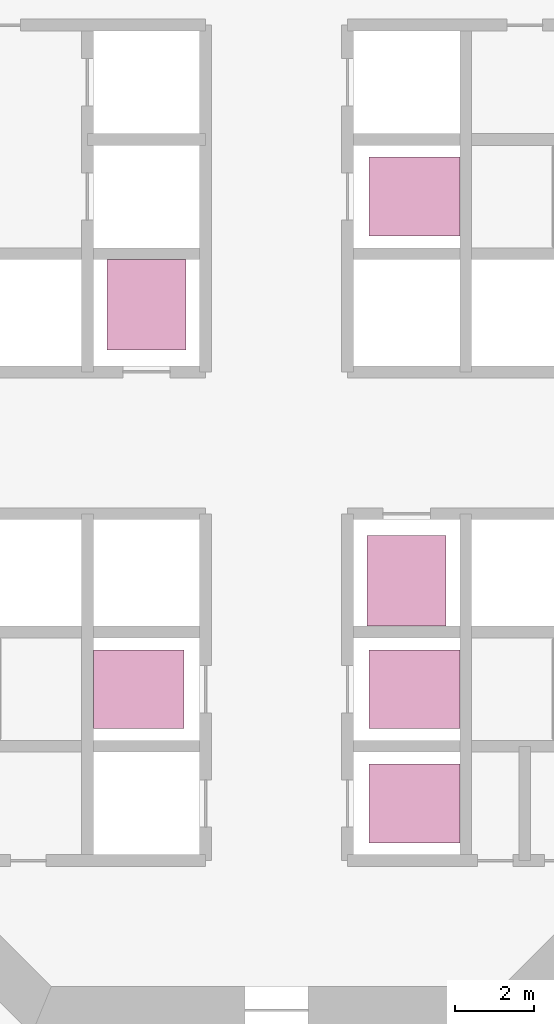
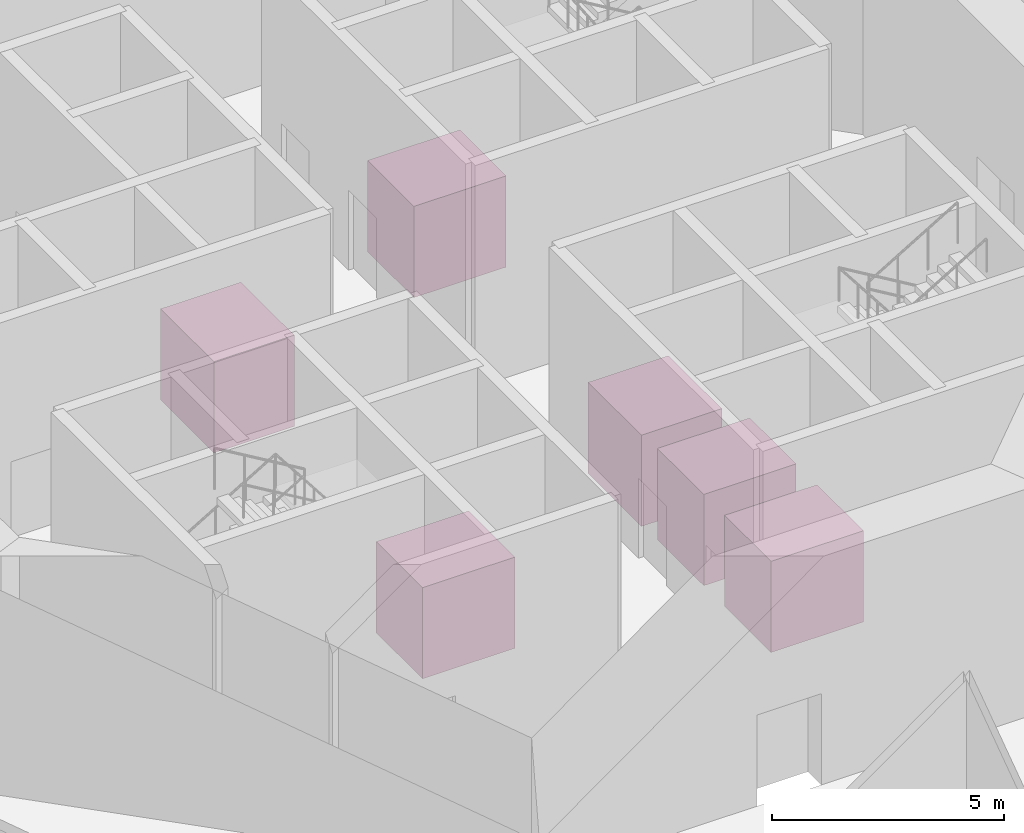
# One storey, part 14 of 14: 6 transport elements.
"""IFC4 building model written with IfcOpenShell, lengths in metres."""

from ifc_helpers import new_model, si_unit, direction, frame, origin, origin_2d, place, context, subcontext, project, spatial, rectangle, extrude, material, type_object, element, save


model = new_model("IFC4")

# Units and contexts
model_context = context("Model", 3, precision=1e-05, world=origin(), true_north=direction((0.0, 1.0)))
body_context = subcontext(model_context, "Body", "Model", "MODEL_VIEW")
ifc_project = project(units=[si_unit("LENGTHUNIT", "METRE"), si_unit("AREAUNIT", "SQUARE_METRE"), si_unit("VOLUMEUNIT", "CUBIC_METRE"), si_unit("PLANEANGLEUNIT", "RADIAN"), si_unit("MASSUNIT", "GRAM", prefix="KILO")], contexts=[model_context])

# Site, building, storey
site_placement = place(None, origin())
site = spatial("IfcSite", under=ifc_project, at=site_placement, CompositionType="ELEMENT")
building_placement = place(site_placement, origin())
building = spatial("IfcBuilding", under=site, at=building_placement, Name="Entoto Ring Tower", CompositionType="ELEMENT")
storey_placement = place(building_placement, frame((0.0, 0.0, 132.0)))
storey = spatial("IfcBuildingStorey", under=building, at=storey_placement, Name="L30", CompositionType="ELEMENT", Elevation=132.0)

# Transport elements
ifc_material = material(Name="Steel S355", Category="steel")
transport_element_type = type_object("IfcTransportElementType", Name="Passenger lift 2000 x 2300 1800 kg", PredefinedType="ELEVATOR", material=ifc_material)
for number, where, z_axis, x_axis, name in (
    (1, (93.5, 86.25, 0.0), (0.0, 0.0, 1.0), (1.0, 0.0, 0.0), "Lift LB1-MR"),
    (2, (93.5, 73.75, 0.0), (0.0, 0.0, 1.0), (1.0, 0.0, 0.0), "Lift LB2-MR"),
    (3, (93.5, 70.85009765625, 0.0), (0.0, 0.0, 1.0), (1.0, 0.0, 0.0), "Lift LB3-MR"),
    (4, (86.5, 73.75, 0.0), (0.0, 0.0, 1.0), (1.0, 0.0, 0.0), "Lift LB4-MR"),
):
    element("IfcTransportElement", number, at=place(storey_placement, frame(where, z_axis=z_axis, x_axis=x_axis)), inside=storey, type_object=transport_element_type, Name=name, PredefinedType="ELEVATOR", context=body_context, shape_type="SweptSolid", body=[
        extrude(rectangle(XDim=2.300048828125, YDim=2.0, at=origin_2d()), origin(), (0.0, 0.0, 1.0), 2.39990234375),
    ])
for number, where, z_axis, x_axis, name in (
    (5, (86.699951171875, 83.5, 0.0), (0.0, 0.0, 1.0), (1.0, 0.0, 0.0), "Lift LB5-MR"),
    (6, (93.300048828125, 76.5, 0.0), (0.0, 0.0, 1.0), (1.0, 0.0, 0.0), "Lift LB6-MR"),
):
    element("IfcTransportElement", number, at=place(storey_placement, frame(where, z_axis=z_axis, x_axis=x_axis)), inside=storey, type_object=transport_element_type, Name=name, PredefinedType="ELEVATOR", context=body_context, shape_type="SweptSolid", body=[
        extrude(rectangle(XDim=2.0, YDim=2.300048828125, at=origin_2d()), origin(), (0.0, 0.0, 1.0), 2.39990234375),
    ])

save(model, "model.ifc")
